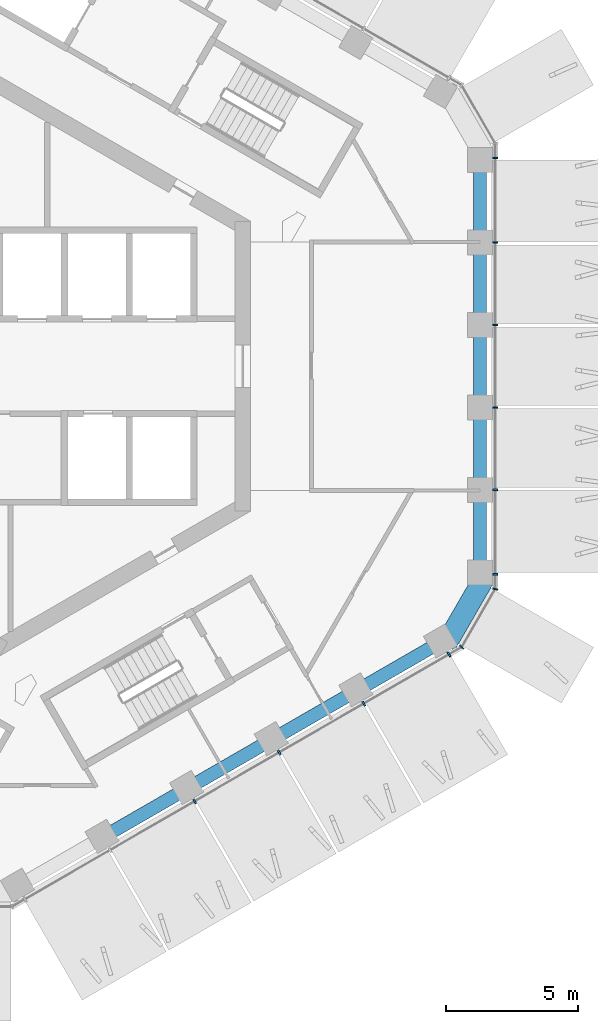
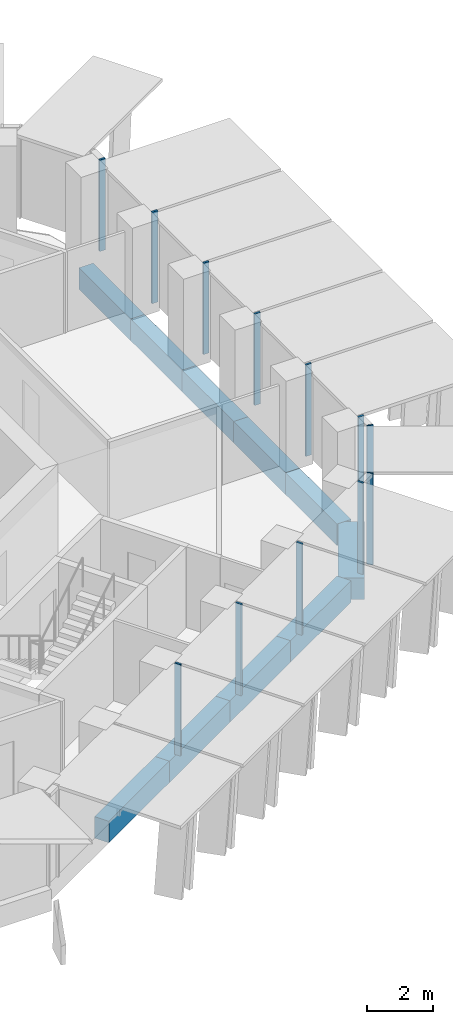
# One storey, part 3 of 23: 12 members, 10 beams, 3 elements without a shape of their own.
"""IFC4 building model written with IfcOpenShell, lengths in metres."""

from ifc_helpers import new_model, si_unit, direction, frame, origin, origin_2d, place, context, subcontext, project, spatial, rectangle, extrude, material, layer, layer_set, material_profile, profile_set, type_object, element, aggregate, save


model = new_model("IFC4")

# Units and contexts
model_context = context("Model", 3, precision=1e-05, world=origin(), true_north=direction((0.0, 1.0)))
body_context = subcontext(model_context, "Body", "Model", "MODEL_VIEW")
ifc_project = project(units=[si_unit("LENGTHUNIT", "METRE"), si_unit("AREAUNIT", "SQUARE_METRE"), si_unit("VOLUMEUNIT", "CUBIC_METRE"), si_unit("PLANEANGLEUNIT", "RADIAN"), si_unit("MASSUNIT", "GRAM", prefix="KILO")], contexts=[model_context])

# Site, building, storey
site_placement = place(None, origin())
site = spatial("IfcSite", under=ifc_project, at=site_placement, CompositionType="ELEMENT")
building_placement = place(site_placement, origin())
building = spatial("IfcBuilding", under=site, at=building_placement, Name="Ayvan Gate Tower", CompositionType="ELEMENT")
storey_placement = place(building_placement, frame((0.0, 0.0, 198.699951171875)))
storey = spatial("IfcBuildingStorey", under=building, at=storey_placement, Name="L53", CompositionType="ELEMENT", Elevation=198.699951171875)

# Beams
ifc_material_1 = material(Name="Concrete C40/50", Category="concrete")
ifc_material_profile_1 = material_profile(ifc_material_1, rectangle(XDim=0.800048828125, YDim=0.800048828125, at=origin_2d()), Name="RC 800x800")
ifc_profile_set_1 = profile_set([ifc_material_profile_1], Name="Concrete C40/50")
beam_type_1 = type_object("IfcBeamType", Name="Corner spandrel beam RC 800x800 C40/50", PredefinedType="BEAM", material=ifc_profile_set_1)
beam_1_placement = place(storey_placement, frame((16.876953125, -10.56396484375, -0.75), z_axis=(0.499990139034, 0.866031096941, 0.0), x_axis=(-0.866031096941, 0.499990139034, 0.0)))
element("IfcBeam", 1, at=beam_1_placement, inside=storey, type_object=beam_type_1, Name="SB-L53-36", PredefinedType="BEAM", context=body_context, shape_type="SweptSolid", body=[
    extrude(rectangle(XDim=0.800048828125, YDim=0.800048828125, at=origin_2d()), origin(), (0.0, 0.0, 1.0), 3.0),
])
ifc_material_profile_2 = material_profile(ifc_material_1, rectangle(XDim=0.5, YDim=0.800048828125, at=origin_2d()), Name="RC 500x800")
ifc_profile_set_2 = profile_set([ifc_material_profile_2], Name="Concrete C40/50")
beam_type_2 = type_object("IfcBeamType", Name="Spandrel beam RC 500x800 C40/50", PredefinedType="BEAM", material=ifc_profile_set_2)
for number, where, z_axis, x_axis, name in (
    (2, (18.1865234375, -7.85595703125, -0.75), (0.0, 1.0, 0.0), (-1.0, 0.0, 0.0), "SB-L53-1"),
    (3, (18.1865234375, -4.713623046875, -0.75), (0.0, 1.0, 0.0), (-1.0, 0.0, 0.0), "SB-L53-2"),
):
    element("IfcBeam", number, at=place(storey_placement, frame(where, z_axis=z_axis, x_axis=x_axis)), inside=storey, type_object=beam_type_2, Name=name, PredefinedType="BEAM", context=body_context, shape_type="SweptSolid", body=[
        extrude(rectangle(XDim=0.5, YDim=0.800048828125, at=origin_2d()), origin(), (0.0, 0.0, 1.0), 3.142333984375),
    ])
beam_2_placement = place(storey_placement, frame((18.1865234375, -1.5712890625, -0.75), z_axis=(0.0, 1.0, 0.0), x_axis=(-1.0, 0.0, 0.0)))
element("IfcBeam", 4, at=beam_2_placement, inside=storey, type_object=beam_type_2, Name="SB-L53-3", PredefinedType="BEAM", context=body_context, shape_type="SweptSolid", body=[
    extrude(rectangle(XDim=0.5, YDim=0.800048828125, at=origin_2d()), origin(), (0.0, 0.0, 1.0), 3.142578125),
])
for number, where, z_axis, x_axis, name in (
    (5, (18.1865234375, 1.5712890625, -0.75), (0.0, 1.0, 0.0), (-1.0, 0.0, 0.0), "SB-L53-4"),
    (6, (18.1865234375, 4.713623046875, -0.75), (0.0, 1.0, 0.0), (-1.0, 0.0, 0.0), "SB-L53-5"),
):
    element("IfcBeam", number, at=place(storey_placement, frame(where, z_axis=z_axis, x_axis=x_axis)), inside=storey, type_object=beam_type_2, Name=name, PredefinedType="BEAM", context=body_context, shape_type="SweptSolid", body=[
        extrude(rectangle(XDim=0.5, YDim=0.800048828125, at=origin_2d()), origin(), (0.0, 0.0, 1.0), 3.142333984375),
    ])
beam_3_placement = place(storey_placement, frame((3.905517578125, -17.833251953125, -0.75), z_axis=(0.866007075441, 0.500031744278, 0.0), x_axis=(-0.500031744278, 0.866007075441, 0.0)))
element("IfcBeam", 7, at=beam_3_placement, inside=storey, type_object=beam_type_2, Name="SB-L53-32", PredefinedType="BEAM", context=body_context, shape_type="SweptSolid", body=[
    extrude(rectangle(XDim=0.5, YDim=0.800048828125, at=origin_2d()), origin(), (0.0, 0.0, 1.0), 3.689697265625),
])
beam_4_placement = place(storey_placement, frame((7.100830078125, -15.98828125, -0.75), z_axis=(0.866019184983, 0.500010771126, 0.0), x_axis=(-0.500010771126, 0.866019184983, 0.0)))
element("IfcBeam", 8, at=beam_4_placement, inside=storey, type_object=beam_type_2, Name="SB-L53-33", PredefinedType="BEAM", context=body_context, shape_type="SweptSolid", body=[
    extrude(rectangle(XDim=0.5, YDim=0.800048828125, at=origin_2d()), origin(), (0.0, 0.0, 1.0), 3.689453125),
])
for number, where, z_axis, x_axis, name in (
    (9, (10.2958984375, -14.1435546875, -0.75), (0.866035727774, 0.499982117899, 0.0), (-0.499982117899, 0.866035727774, 0.0), "SB-L53-34"),
    (10, (13.4912109375, -12.298828125, -0.75), (0.866035727774, 0.499982117899, 0.0), (-0.499982117899, 0.866035727774, 0.0), "SB-L53-35"),
):
    element("IfcBeam", number, at=place(storey_placement, frame(where, z_axis=z_axis, x_axis=x_axis)), inside=storey, type_object=beam_type_2, Name=name, PredefinedType="BEAM", context=body_context, shape_type="SweptSolid", body=[
        extrude(rectangle(XDim=0.5, YDim=0.800048828125, at=origin_2d()), origin(), (0.0, 0.0, 1.0), 3.689697265625),
    ])

# Curtain wall, members
ifc_material_2 = material(Name="Bronze anodised aluminium", Category="aluminium")
ifc_layer_1 = layer(ifc_material_2, 0.199951171875)
ifc_layer_set_1 = layer_set([ifc_layer_1], Name="Bronze anodised aluminium")
curtain_wall_type_1 = type_object("IfcCurtainWallType", Name="Stick curtain wall CW-2", PredefinedType="NOTDEFINED", material=ifc_layer_set_1)
curtain_wall_1_placement = place(storey_placement, origin())
curtain_wall_1 = element("IfcCurtainWall", 11, at=curtain_wall_1_placement, inside=storey, type_object=curtain_wall_type_1, Name="Stick curtain wall CW-2 L53", PredefinedType="NOTDEFINED")
ifc_material_profile_3 = material_profile(ifc_material_2, rectangle(XDim=0.199951171875, YDim=0.070068359375, at=origin_2d()), Name="Stick curtain wall CW-2 mullion 200 x 70")
ifc_profile_set_3 = profile_set([ifc_material_profile_3], Name="Bronze anodised aluminium")
member_type_1 = type_object("IfcMemberType", Name="Stick curtain wall CW-2 mullion 200 x 70", PredefinedType="MULLION", material=ifc_profile_set_3)
member_1_placement = place(storey_placement, frame((7.376953125, -16.477783203125, 0.0), z_axis=(0.0, 0.0, 1.0), x_axis=(0.5, -0.866025403784, 0.0)))
member_1 = element("IfcMember", 12, at=member_1_placement, type_object=member_type_1, Name="CW-2 mullion 3", PredefinedType="MULLION", context=body_context, shape_type="SweptSolid", body=[
    extrude(rectangle(XDim=0.199951171875, YDim=0.070068359375, at=origin_2d()), origin(), (0.0, 0.0, 1.0), 3.400146484375),
])
member_2_placement = place(storey_placement, frame((10.581298828125, -14.627685546875, 0.0), z_axis=(0.0, 0.0, 1.0), x_axis=(0.5, -0.866025403784, 0.0)))
member_2 = element("IfcMember", 13, at=member_2_placement, type_object=member_type_1, Name="CW-2 mullion 4", PredefinedType="MULLION", context=body_context, shape_type="SweptSolid", body=[
    extrude(rectangle(XDim=0.199951171875, YDim=0.070068359375, at=origin_2d()), origin(), (0.0, 0.0, 1.0), 3.400146484375),
])
member_3_placement = place(storey_placement, frame((13.78466796875, -12.7783203125, 0.0), z_axis=(0.0, 0.0, 1.0), x_axis=(0.5, -0.866025403784, 0.0)))
member_3 = element("IfcMember", 14, at=member_3_placement, type_object=member_type_1, Name="CW-2 mullion 5", PredefinedType="MULLION", context=body_context, shape_type="SweptSolid", body=[
    extrude(rectangle(XDim=0.199951171875, YDim=0.070068359375, at=origin_2d()), origin(), (0.0, 0.0, 1.0), 3.400146484375),
])
member_4_placement = place(storey_placement, frame((17.00927734375, -10.91650390625, 0.0), z_axis=(0.0, 0.0, 1.0), x_axis=(0.5, -0.866025403784, 0.0)))
member_4 = element("IfcMember", 15, at=member_4_placement, type_object=member_type_1, Name="CW-2 mullion 6", PredefinedType="MULLION", context=body_context, shape_type="SweptSolid", body=[
    extrude(rectangle(XDim=0.199951171875, YDim=0.070068359375, at=origin_2d()), origin(), (0.0, 0.0, 1.0), 3.400146484375),
])
aggregate(curtain_wall_1, [member_1, member_2, member_3, member_4])

curtain_wall_2_placement = place(storey_placement, origin())
curtain_wall_2 = element("IfcCurtainWall", 16, at=curtain_wall_2_placement, inside=storey, type_object=curtain_wall_type_1, Name="Stick curtain wall CW-2 L53", PredefinedType="NOTDEFINED")
member_5_placement = place(storey_placement, frame((18.761474609375, -7.881591796875, 0.0), z_axis=(0.0, 0.0, 1.0), x_axis=(1.0, 0.0, 0.0)))
member_5 = element("IfcMember", 17, at=member_5_placement, type_object=member_type_1, Name="CW-2 mullion 1", PredefinedType="MULLION", context=body_context, shape_type="SweptSolid", body=[
    extrude(rectangle(XDim=0.199951171875, YDim=0.070068359375, at=origin_2d()), origin(), (0.0, 0.0, 1.0), 3.400146484375),
])
member_6_placement = place(storey_placement, frame((18.761474609375, -4.68359375, 0.0), z_axis=(0.0, 0.0, 1.0), x_axis=(1.0, 0.0, 0.0)))
member_6 = element("IfcMember", 18, at=member_6_placement, type_object=member_type_1, Name="CW-2 mullion 2", PredefinedType="MULLION", context=body_context, shape_type="SweptSolid", body=[
    extrude(rectangle(XDim=0.199951171875, YDim=0.070068359375, at=origin_2d()), origin(), (0.0, 0.0, 1.0), 3.400146484375),
])
member_7_placement = place(storey_placement, frame((18.761474609375, -1.5615234375, 0.0), z_axis=(0.0, 0.0, 1.0), x_axis=(1.0, 0.0, 0.0)))
member_7 = element("IfcMember", 19, at=member_7_placement, type_object=member_type_1, Name="CW-2 mullion 3", PredefinedType="MULLION", context=body_context, shape_type="SweptSolid", body=[
    extrude(rectangle(XDim=0.199951171875, YDim=0.070068359375, at=origin_2d()), origin(), (0.0, 0.0, 1.0), 3.400146484375),
])
member_8_placement = place(storey_placement, frame((18.761474609375, 1.5615234375, 0.0), z_axis=(0.0, 0.0, 1.0), x_axis=(1.0, 0.0, 0.0)))
member_8 = element("IfcMember", 20, at=member_8_placement, type_object=member_type_1, Name="CW-2 mullion 4", PredefinedType="MULLION", context=body_context, shape_type="SweptSolid", body=[
    extrude(rectangle(XDim=0.199951171875, YDim=0.070068359375, at=origin_2d()), origin(), (0.0, 0.0, 1.0), 3.400146484375),
])
member_9_placement = place(storey_placement, frame((18.761474609375, 4.68359375, 0.0), z_axis=(0.0, 0.0, 1.0), x_axis=(1.0, 0.0, 0.0)))
member_9 = element("IfcMember", 21, at=member_9_placement, type_object=member_type_1, Name="CW-2 mullion 5", PredefinedType="MULLION", context=body_context, shape_type="SweptSolid", body=[
    extrude(rectangle(XDim=0.199951171875, YDim=0.070068359375, at=origin_2d()), origin(), (0.0, 0.0, 1.0), 3.400146484375),
])
member_10_placement = place(storey_placement, frame((18.761474609375, 7.881591796875, 0.0), z_axis=(0.0, 0.0, 1.0), x_axis=(1.0, 0.0, 0.0)))
member_10 = element("IfcMember", 22, at=member_10_placement, type_object=member_type_1, Name="CW-2 mullion 6", PredefinedType="MULLION", context=body_context, shape_type="SweptSolid", body=[
    extrude(rectangle(XDim=0.199951171875, YDim=0.070068359375, at=origin_2d()), origin(), (0.0, 0.0, 1.0), 3.400146484375),
])
aggregate(curtain_wall_2, [member_5, member_6, member_7, member_8, member_9, member_10])

ifc_layer_2 = layer(ifc_material_2, 0.199951171875)
ifc_layer_set_2 = layer_set([ifc_layer_2], Name="Bronze anodised aluminium")
curtain_wall_type_2 = type_object("IfcCurtainWallType", Name="Stick curtain wall CW-6", PredefinedType="NOTDEFINED", material=ifc_layer_set_2)
curtain_wall_3_placement = place(storey_placement, origin())
curtain_wall_3 = element("IfcCurtainWall", 23, at=curtain_wall_3_placement, inside=storey, type_object=curtain_wall_type_2, Name="Stick curtain wall CW-6 L53", PredefinedType="NOTDEFINED")
ifc_material_profile_4 = material_profile(ifc_material_2, rectangle(XDim=0.199951171875, YDim=0.050048828125, at=origin_2d()), Name="Stick curtain wall CW-6 mullion 200 x 50")
ifc_profile_set_4 = profile_set([ifc_material_profile_4], Name="Bronze anodised aluminium")
member_type_2 = type_object("IfcMemberType", Name="Stick curtain wall CW-6 mullion 200 x 50", PredefinedType="MULLION", material=ifc_profile_set_4)
member_11_placement = place(storey_placement, frame((17.494140625, -10.636474609375, 0.0), z_axis=(0.0, 0.0, 1.0), x_axis=(0.707106781187, -0.707106781187, 0.0)))
member_11 = element("IfcMember", 24, at=member_11_placement, type_object=member_type_2, Name="CW-6 mullion 2", PredefinedType="MULLION", context=body_context, shape_type="SweptSolid", body=[
    extrude(rectangle(XDim=0.199951171875, YDim=0.050048828125, at=origin_2d()), origin(), (0.0, 0.0, 1.0), 3.400146484375),
])
member_12_placement = place(storey_placement, frame((18.761474609375, -8.44140625, 0.0), z_axis=(0.0, 0.0, 1.0), x_axis=(0.965925826289, -0.258819045103, 0.0)))
member_12 = element("IfcMember", 25, at=member_12_placement, type_object=member_type_2, Name="CW-6 mullion 3", PredefinedType="MULLION", context=body_context, shape_type="SweptSolid", body=[
    extrude(rectangle(XDim=0.199951171875, YDim=0.050048828125, at=origin_2d()), origin(), (0.0, 0.0, 1.0), 3.400146484375),
])
aggregate(curtain_wall_3, [member_11, member_12])

save(model, "model.ifc")
